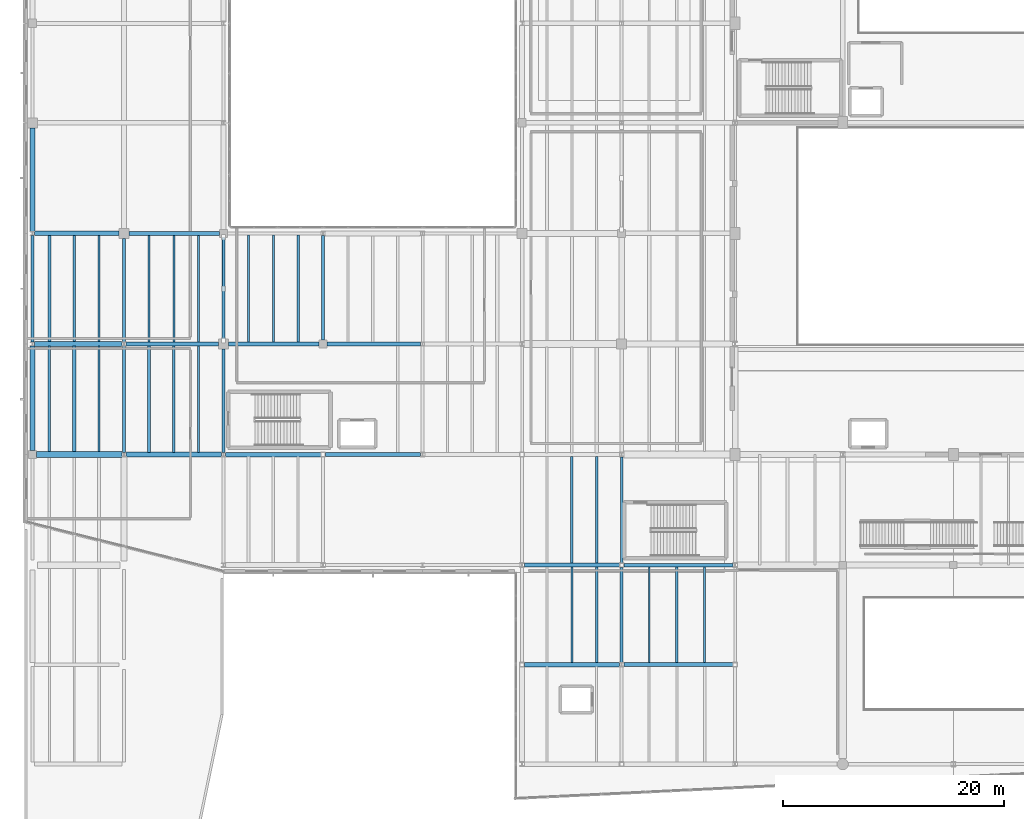
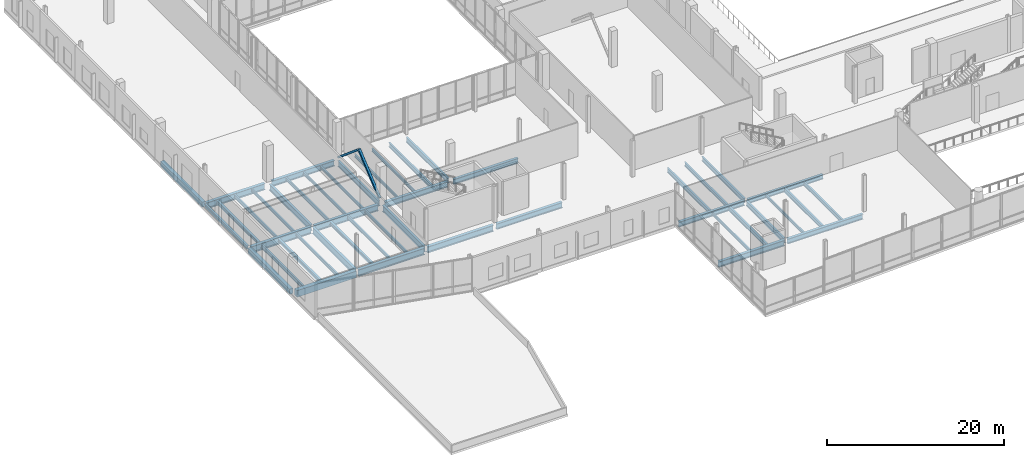
# One storey, part 21 of 81: 46 beams, 2 members.
"""IFC4 building model written with IfcOpenShell, lengths in metres."""

from ifc_helpers import new_model, si_unit, direction, frame, origin, origin_2d, place, context, subcontext, project, spatial, rectangle, hollow_rectangle, i_section, extrude, material, material_profile, profile_set, type_object, element, save


model = new_model("IFC4")

# Units and contexts
model_context = context("Model", 3, precision=1e-05, world=origin(), true_north=direction((0.0, 1.0)))
body_context = subcontext(model_context, "Body", "Model", "MODEL_VIEW")
ifc_project = project(units=[si_unit("LENGTHUNIT", "METRE"), si_unit("AREAUNIT", "SQUARE_METRE"), si_unit("VOLUMEUNIT", "CUBIC_METRE"), si_unit("PLANEANGLEUNIT", "RADIAN"), si_unit("MASSUNIT", "GRAM", prefix="KILO")], contexts=[model_context])

# Site, building, storey
site_placement = place(None, origin())
site = spatial("IfcSite", under=ifc_project, at=site_placement, CompositionType="ELEMENT")
building_placement = place(site_placement, origin())
building = spatial("IfcBuilding", under=site, at=building_placement, Name="Trimount Lyric Opera House", CompositionType="ELEMENT")
storey_placement = place(building_placement, frame((0.0, 0.0, 5.0)))
storey = spatial("IfcBuildingStorey", under=building, at=storey_placement, Name="L01", CompositionType="ELEMENT", Elevation=5.0)

# Beams
ifc_material_1 = material(Name="Steel ASTM A992 Grade 50", Category="steel")
ifc_material_profile_1 = material_profile(ifc_material_1, i_section(OverallWidth=0.4189453125, OverallDepth=0.927001953125, WebThickness=0.019287109375, FlangeThickness=0.031982421875, FilletRadius=0.02392578125, at=origin_2d()), Name="W36X231")
ifc_profile_set_1 = profile_set([ifc_material_profile_1], Name="Steel ASTM A992 Grade 50")
beam_type_1 = type_object("IfcBeamType", Name="B-02", PredefinedType="BEAM", material=ifc_profile_set_1)
beam_1_placement = place(storey_placement, frame((9.18408203125, 54.0, -0.743408203125), z_axis=(1.0, 0.0, 0.0), x_axis=(0.0, 1.0, 0.0)))
element("IfcBeam", 1, at=beam_1_placement, inside=storey, type_object=beam_type_1, Name="L01 girder X-0492", PredefinedType="BEAM", context=body_context, shape_type="SweptSolid", body=[
    extrude(i_section(OverallWidth=0.4189453125, OverallDepth=0.927001953125, WebThickness=0.019287109375, FlangeThickness=0.031982421875, FilletRadius=0.02392578125, at=origin_2d()), origin(), (0.0, 0.0, 1.0), 8.62939453125),
])
beam_2_placement = place(storey_placement, frame((0.904052734375, 64.0, -0.743408203125), z_axis=(1.0, 0.0, 0.0), x_axis=(0.0, 1.0, 0.0)))
element("IfcBeam", 2, at=beam_2_placement, inside=storey, type_object=beam_type_1, Name="L01 girder X-0507", PredefinedType="BEAM", context=body_context, shape_type="SweptSolid", body=[
    extrude(i_section(OverallWidth=0.4189453125, OverallDepth=0.927001953125, WebThickness=0.019287109375, FlangeThickness=0.031982421875, FilletRadius=0.02392578125, at=origin_2d()), origin(), (0.0, 0.0, 1.0), 7.909423828125),
])
ifc_material_2 = material(Name="Steel ASTM A992 Grade 50", Category="steel")
ifc_material_profile_2 = material_profile(ifc_material_2, i_section(OverallWidth=0.304931640625, OverallDepth=0.9189453125, WebThickness=0.017333984375, FlangeThickness=0.02783203125, FilletRadius=0.02001953125, at=origin_2d()), Name="W36X170")
ifc_profile_set_2 = profile_set([ifc_material_profile_2], Name="Steel ASTM A992 Grade 50")
beam_type_2 = type_object("IfcBeamType", Name="B-03", PredefinedType="BEAM", material=ifc_profile_set_2)
beam_3_placement = place(storey_placement, frame((9.0, 54.177978515625, -0.739501953125), z_axis=(0.0, 1.0, 0.0), x_axis=(-1.0, 0.0, 0.0)))
element("IfcBeam", 3, at=beam_3_placement, inside=storey, type_object=beam_type_2, Name="L01 girder Y-0607", PredefinedType="BEAM", context=body_context, shape_type="SweptSolid", body=[
    extrude(i_section(OverallWidth=0.304931640625, OverallDepth=0.9189453125, WebThickness=0.017333984375, FlangeThickness=0.02783203125, FilletRadius=0.02001953125, at=origin_2d()), origin(), (0.0, 0.0, 1.0), 9.637939453125),
])
ifc_material_3 = material(Name="Steel ASTM A992 Grade 50", Category="steel")
ifc_material_profile_3 = material_profile(ifc_material_3, i_section(OverallWidth=0.40087890625, OverallDepth=0.861083984375, WebThickness=0.019775390625, FlangeThickness=0.032470703125, FilletRadius=0.02001953125, at=origin_2d()), Name="W33X221")
ifc_profile_set_3 = profile_set([ifc_material_profile_3], Name="Steel ASTM A992 Grade 50")
beam_type_3 = type_object("IfcBeamType", Name="B-04", PredefinedType="BEAM", material=ifc_profile_set_3)
beam_4_placement = place(storey_placement, frame((18.1865234375, 54.0, -0.71044921875), z_axis=(1.0, 0.0, 0.0), x_axis=(0.0, 1.0, 0.0)))
element("IfcBeam", 4, at=beam_4_placement, inside=storey, type_object=beam_type_3, Name="L01 girder X-0493", PredefinedType="BEAM", context=body_context, shape_type="SweptSolid", body=[
    extrude(i_section(OverallWidth=0.40087890625, OverallDepth=0.861083984375, WebThickness=0.019775390625, FlangeThickness=0.032470703125, FilletRadius=0.02001953125, at=origin_2d()), origin(), (0.0, 0.0, 1.0), 8.6103515625),
])
beam_5_placement = place(storey_placement, frame((9.1865234375, 64.0, -0.71044921875), z_axis=(1.0, 0.0, 0.0), x_axis=(0.0, 1.0, 0.0)))
element("IfcBeam", 5, at=beam_5_placement, inside=storey, type_object=beam_type_3, Name="L01 girder X-0508", PredefinedType="BEAM", context=body_context, shape_type="SweptSolid", body=[
    extrude(i_section(OverallWidth=0.40087890625, OverallDepth=0.861083984375, WebThickness=0.019775390625, FlangeThickness=0.032470703125, FilletRadius=0.02001953125, at=origin_2d()), origin(), (0.0, 0.0, 1.0), 8.363525390625),
])
beam_6_placement = place(storey_placement, frame((0.906494140625, 74.0, -0.71044921875), z_axis=(1.0, 0.0, 0.0), x_axis=(0.0, 1.0, 0.0)))
element("IfcBeam", 6, at=beam_6_placement, inside=storey, type_object=beam_type_3, Name="L01 girder X-0520", PredefinedType="BEAM", context=body_context, shape_type="SweptSolid", body=[
    extrude(i_section(OverallWidth=0.40087890625, OverallDepth=0.861083984375, WebThickness=0.019775390625, FlangeThickness=0.032470703125, FilletRadius=0.02001953125, at=origin_2d()), origin(), (0.0, 0.0, 1.0), 7.6435546875),
])
ifc_material_4 = material(Name="Steel ASTM A992 Grade 50", Category="steel")
ifc_material_profile_4 = material_profile(ifc_material_4, i_section(OverallWidth=0.2919921875, OverallDepth=0.845947265625, WebThickness=0.015380859375, FlangeThickness=0.0244140625, FilletRadius=0.01806640625, at=origin_2d()), Name="W33X141")
ifc_profile_set_4 = profile_set([ifc_material_profile_4], Name="Steel ASTM A992 Grade 50")
beam_type_4 = type_object("IfcBeamType", Name="B-05", PredefinedType="BEAM", material=ifc_profile_set_4)
for number, where, z_axis, x_axis, name in (
    (7, (9.0, 64.18408203125, -0.702880859375), (0.0, 1.0, 0.0), (-1.0, 0.0, 0.0), "L01 girder Y-0608"),
    (8, (18.0, 54.18408203125, -0.702880859375), (0.0, 1.0, 0.0), (-1.0, 0.0, 0.0), "L01 girder Y-0612"),
):
    element("IfcBeam", number, at=place(storey_placement, frame(where, z_axis=z_axis, x_axis=x_axis)), inside=storey, type_object=beam_type_4, Name=name, PredefinedType="BEAM", context=body_context, shape_type="SweptSolid", body=[
        extrude(i_section(OverallWidth=0.2919921875, OverallDepth=0.845947265625, WebThickness=0.015380859375, FlangeThickness=0.0244140625, FilletRadius=0.01806640625, at=origin_2d()), origin(), (0.0, 0.0, 1.0), 9.365966796875),
    ])
ifc_material_5 = material(Name="Steel ASTM A992 Grade 50", Category="steel")
ifc_material_profile_5 = material_profile(ifc_material_5, i_section(OverallWidth=0.382080078125, OverallDepth=0.779052734375, WebThickness=0.01806640625, FlangeThickness=0.0302734375, FilletRadius=0.01904296875, at=origin_2d()), Name="W30X191")
ifc_profile_set_5 = profile_set([ifc_material_profile_5], Name="Steel ASTM A992 Grade 50")
beam_type_5 = type_object("IfcBeamType", Name="B-06", PredefinedType="BEAM", material=ifc_profile_set_5)
for number, where, z_axis, x_axis, name in (
    (9, (45.203125, 35.0, -0.689453125), (1.0, 0.0, 0.0), (0.0, 1.0, 0.0), "L01 girder X-0472"),
    (10, (27.203125, 54.0, -0.66943359375), (1.0, 0.0, 0.0), (0.0, 1.0, 0.0), "L01 girder X-0494"),
):
    element("IfcBeam", number, at=place(storey_placement, frame(where, z_axis=z_axis, x_axis=x_axis)), inside=storey, type_object=beam_type_5, Name=name, PredefinedType="BEAM", context=body_context, shape_type="SweptSolid", body=[
        extrude(i_section(OverallWidth=0.382080078125, OverallDepth=0.779052734375, WebThickness=0.01806640625, FlangeThickness=0.0302734375, FilletRadius=0.01904296875, at=origin_2d()), origin(), (0.0, 0.0, 1.0), 8.593994140625),
    ])
for number, where, z_axis, x_axis, name in (
    (11, (18.449951171875, 64.0, -0.66943359375), (1.0, 0.0, 0.0), (0.0, 1.0, 0.0), "L01 girder X-0509"),
    (12, (9.449951171875, 74.0, -0.66943359375), (1.0, 0.0, 0.0), (0.0, 1.0, 0.0), "L01 girder X-0521"),
):
    element("IfcBeam", number, at=place(storey_placement, frame(where, z_axis=z_axis, x_axis=x_axis)), inside=storey, type_object=beam_type_5, Name=name, PredefinedType="BEAM", context=body_context, shape_type="SweptSolid", body=[
        extrude(i_section(OverallWidth=0.382080078125, OverallDepth=0.779052734375, WebThickness=0.01806640625, FlangeThickness=0.0302734375, FilletRadius=0.01904296875, at=origin_2d()), origin(), (0.0, 0.0, 1.0), 8.175048828125),
    ])
ifc_material_6 = material(Name="Steel ASTM A992 Grade 50", Category="steel")
ifc_material_profile_6 = material_profile(ifc_material_6, i_section(OverallWidth=0.26708984375, OverallDepth=0.761962890625, WebThickness=0.014404296875, FlangeThickness=0.021484375, FilletRadius=0.01708984375, at=origin_2d()), Name="W30X116")
ifc_profile_set_6 = profile_set([ifc_material_profile_6], Name="Steel ASTM A992 Grade 50")
beam_type_6 = type_object("IfcBeamType", Name="B-07", PredefinedType="BEAM", material=ifc_profile_set_6)
beam_7_placement = place(storey_placement, frame((18.0, 64.449951171875, -0.660888671875), z_axis=(0.0, 1.0, 0.0), x_axis=(-1.0, 0.0, 0.0)))
element("IfcBeam", 13, at=beam_7_placement, inside=storey, type_object=beam_type_6, Name="L01 girder Y-0613", PredefinedType="BEAM", context=body_context, shape_type="SweptSolid", body=[
    extrude(i_section(OverallWidth=0.26708984375, OverallDepth=0.761962890625, WebThickness=0.014404296875, FlangeThickness=0.021484375, FilletRadius=0.01708984375, at=origin_2d()), origin(), (0.0, 0.0, 1.0), 9.175048828125),
])
ifc_material_7 = material(Name="Steel ASTM A992 Grade 50", Category="steel")
ifc_material_profile_7 = material_profile(ifc_material_7, i_section(OverallWidth=0.35595703125, OverallDepth=0.700927734375, WebThickness=0.016845703125, FlangeThickness=0.02734375, FilletRadius=0.01806640625, at=origin_2d()), Name="W27X161")
ifc_profile_set_7 = profile_set([ifc_material_profile_7], Name="Steel ASTM A992 Grade 50")
beam_type_7 = type_object("IfcBeamType", Name="B-08", PredefinedType="BEAM", material=ifc_profile_set_7)
beam_8_placement = place(storey_placement, frame((54.202880859375, 35.0, -0.650390625), z_axis=(1.0, 0.0, 0.0), x_axis=(0.0, 1.0, 0.0)))
element("IfcBeam", 14, at=beam_8_placement, inside=storey, type_object=beam_type_7, Name="L01 girder X-0473", PredefinedType="BEAM", context=body_context, shape_type="SweptSolid", body=[
    extrude(i_section(OverallWidth=0.35595703125, OverallDepth=0.700927734375, WebThickness=0.016845703125, FlangeThickness=0.02734375, FilletRadius=0.01806640625, at=origin_2d()), origin(), (0.0, 0.0, 1.0), 9.85400390625),
])
beam_9_placement = place(storey_placement, frame((45.202880859375, 44.0, -0.630615234375), z_axis=(1.0, 0.0, 0.0), x_axis=(0.0, 1.0, 0.0)))
element("IfcBeam", 15, at=beam_9_placement, inside=storey, type_object=beam_type_7, Name="L01 girder X-0477", PredefinedType="BEAM", context=body_context, shape_type="SweptSolid", body=[
    extrude(i_section(OverallWidth=0.35595703125, OverallDepth=0.700927734375, WebThickness=0.016845703125, FlangeThickness=0.02734375, FilletRadius=0.01806640625, at=origin_2d()), origin(), (0.0, 0.0, 1.0), 8.593994140625),
])
beam_10_placement = place(storey_placement, frame((27.375, 64.0, -0.630615234375), z_axis=(1.0, 0.0, 0.0), x_axis=(0.0, 1.0, 0.0)))
element("IfcBeam", 16, at=beam_10_placement, inside=storey, type_object=beam_type_7, Name="L01 girder X-0510", PredefinedType="BEAM", context=body_context, shape_type="SweptSolid", body=[
    extrude(i_section(OverallWidth=0.35595703125, OverallDepth=0.700927734375, WebThickness=0.016845703125, FlangeThickness=0.02734375, FilletRadius=0.01806640625, at=origin_2d()), origin(), (0.0, 0.0, 1.0), 8.44091796875),
])
ifc_material_8 = material(Name="Steel ASTM A992 Grade 50", Category="steel")
ifc_material_profile_8 = material_profile(ifc_material_8, i_section(OverallWidth=0.25390625, OverallDepth=0.68798828125, WebThickness=0.01318359375, FlangeThickness=0.02099609375, FilletRadius=0.01611328125, at=origin_2d()), Name="W27X102")
ifc_profile_set_8 = profile_set([ifc_material_profile_8], Name="Steel ASTM A992 Grade 50")
beam_type_8 = type_object("IfcBeamType", Name="B-09", PredefinedType="BEAM", material=ifc_profile_set_8)
beam_11_placement = place(storey_placement, frame((27.0, 64.375, -0.6240234375), z_axis=(0.0, 1.0, 0.0), x_axis=(-1.0, 0.0, 0.0)))
element("IfcBeam", 17, at=beam_11_placement, inside=storey, type_object=beam_type_8, Name="L01 girder Y-0620", PredefinedType="BEAM", context=body_context, shape_type="SweptSolid", body=[
    extrude(i_section(OverallWidth=0.25390625, OverallDepth=0.68798828125, WebThickness=0.01318359375, FlangeThickness=0.02099609375, FilletRadius=0.01611328125, at=origin_2d()), origin(), (0.0, 0.0, 1.0), 9.447021484375),
])
beam_12_placement = place(storey_placement, frame((54.0, 35.20849609375, -0.64404296875), z_axis=(0.0, 1.0, 0.0), x_axis=(-1.0, 0.0, 0.0)))
element("IfcBeam", 18, at=beam_12_placement, inside=storey, type_object=beam_type_8, Name="L01 girder Y-0638", PredefinedType="BEAM", context=body_context, shape_type="SweptSolid", body=[
    extrude(i_section(OverallWidth=0.25390625, OverallDepth=0.68798828125, WebThickness=0.01318359375, FlangeThickness=0.02099609375, FilletRadius=0.01611328125, at=origin_2d()), origin(), (0.0, 0.0, 1.0), 8.58837890625),
])
ifc_material_9 = material(Name="Steel ASTM A992 Grade 50", Category="steel")
ifc_material_profile_9 = material_profile(ifc_material_9, i_section(OverallWidth=0.327880859375, OverallDepth=0.626953125, WebThickness=0.0166015625, FlangeThickness=0.027587890625, FilletRadius=0.01611328125, at=origin_2d()), Name="W24X146")
ifc_profile_set_9 = profile_set([ifc_material_profile_9], Name="Steel ASTM A992 Grade 50")
beam_type_9 = type_object("IfcBeamType", Name="B-10", PredefinedType="BEAM", material=ifc_profile_set_9)
beam_13_placement = place(storey_placement, frame((54.203125, 44.0, -0.613525390625), z_axis=(1.0, 0.0, 0.0), x_axis=(0.0, 1.0, 0.0)))
element("IfcBeam", 19, at=beam_13_placement, inside=storey, type_object=beam_type_9, Name="L01 girder X-0478", PredefinedType="BEAM", context=body_context, shape_type="SweptSolid", body=[
    extrude(i_section(OverallWidth=0.327880859375, OverallDepth=0.626953125, WebThickness=0.0166015625, FlangeThickness=0.027587890625, FilletRadius=0.01611328125, at=origin_2d()), origin(), (0.0, 0.0, 1.0), 9.853759765625),
])
ifc_material_10 = material(Name="Steel ASTM A992 Grade 50", Category="steel")
ifc_material_profile_10 = material_profile(ifc_material_10, i_section(OverallWidth=0.22998046875, OverallDepth=0.616943359375, WebThickness=0.01318359375, FlangeThickness=0.022216796875, FilletRadius=0.013916015625, at=origin_2d()), Name="W24X94")
ifc_profile_set_10 = profile_set([ifc_material_profile_10], Name="Steel ASTM A992 Grade 50")
beam_type_10 = type_object("IfcBeamType", Name="B-11", PredefinedType="BEAM", material=ifc_profile_set_10)
beam_14_placement = place(storey_placement, frame((54.0, 44.203125, -0.58837890625), z_axis=(0.0, 1.0, 0.0), x_axis=(-1.0, 0.0, 0.0)))
element("IfcBeam", 20, at=beam_14_placement, inside=storey, type_object=beam_type_10, Name="L01 girder Y-0639", PredefinedType="BEAM", context=body_context, shape_type="SweptSolid", body=[
    extrude(i_section(OverallWidth=0.22998046875, OverallDepth=0.616943359375, WebThickness=0.01318359375, FlangeThickness=0.022216796875, FilletRadius=0.013916015625, at=origin_2d()), origin(), (0.0, 0.0, 1.0), 9.58837890625),
])
ifc_material_11 = material(Name="Concrete C40/50", Category="concrete")
ifc_material_profile_11 = material_profile(ifc_material_11, rectangle(XDim=0.550048828125, YDim=0.89990234375, at=origin_2d()), Name="RC550X900")
ifc_profile_set_11 = profile_set([ifc_material_profile_11], Name="Concrete C40/50")
beam_type_11 = type_object("IfcBeamType", Name="B-14", PredefinedType="BEAM", material=ifc_profile_set_11)
beam_15_placement = place(storey_placement, frame((1.094970703125, 54.0, -0.72998046875), z_axis=(1.0, 0.0, 0.0), x_axis=(0.0, 1.0, 0.0)))
element("IfcBeam", 21, at=beam_15_placement, inside=storey, type_object=beam_type_11, Name="L01 girder X-0491", PredefinedType="BEAM", context=body_context, shape_type="SweptSolid", body=[
    extrude(rectangle(XDim=0.550048828125, YDim=0.89990234375, at=origin_2d()), origin(), (0.0, 0.0, 1.0), 7.720947265625),
])

# Members
ifc_material_12 = material(Name="Steel ASTM A500 Grade C", Category="steel")
ifc_material_profile_12 = material_profile(ifc_material_12, hollow_rectangle(XDim=0.3046875, YDim=0.3046875, WallThickness=0.01171875, InnerFilletRadius=0.01220703125, OuterFilletRadius=0.02392578125, at=origin_2d()), Name="HSS304.8X304.8X12.7")
ifc_profile_set_12 = profile_set([ifc_material_profile_12], Name="Steel ASTM A500 Grade C")
member_type_1 = type_object("IfcMemberType", Name="BR-02", PredefinedType="BRACE", material=ifc_profile_set_12)
member_1_placement = place(storey_placement, frame((18.0, 64.35009765625, 0.14990234375), z_axis=(0.0, 0.766173014074, 0.642634353661), x_axis=(-1.0, 0.0, 0.0)))
element("IfcMember", 22, at=member_1_placement, inside=storey, type_object=member_type_1, Name="L01 lateral chevron brace BF-1.1", PredefinedType="BRACE", context=body_context, shape_type="SweptSolid", body=[
    extrude(hollow_rectangle(XDim=0.3046875, YDim=0.3046875, WallThickness=0.01171875, InnerFilletRadius=0.01220703125, OuterFilletRadius=0.02392578125, at=origin_2d()), origin(), (0.0, 0.0, 1.0), 6.069091796875),
])
ifc_material_13 = material(Name="Steel ASTM A500 Grade C", Category="steel")
ifc_material_profile_13 = material_profile(ifc_material_13, hollow_rectangle(XDim=0.25390625, YDim=0.25390625, WallThickness=0.01171875, InnerFilletRadius=0.01220703125, OuterFilletRadius=0.02392578125, at=origin_2d()), Name="HSS254.0X254.0X12.7")
ifc_profile_set_13 = profile_set([ifc_material_profile_13], Name="Steel ASTM A500 Grade C")
member_type_2 = type_object("IfcMemberType", Name="BR-03", PredefinedType="BRACE", material=ifc_profile_set_13)
member_2_placement = place(storey_placement, frame((18.0, 73.64990234375, 0.14990234375), z_axis=(0.0, -0.766173014074, 0.642634353661), x_axis=(1.0, 0.0, 0.0)))
element("IfcMember", 23, at=member_2_placement, inside=storey, type_object=member_type_2, Name="L01 lateral chevron brace BF-1.2", PredefinedType="BRACE", context=body_context, shape_type="SweptSolid", body=[
    extrude(hollow_rectangle(XDim=0.25390625, YDim=0.25390625, WallThickness=0.01171875, InnerFilletRadius=0.01220703125, OuterFilletRadius=0.02392578125, at=origin_2d()), origin(), (0.0, 0.0, 1.0), 6.069091796875),
])

# Beams
ifc_material_14 = material(Name="Steel ASTM A992 Grade 50", Category="steel")
ifc_material_profile_14 = material_profile(ifc_material_14, i_section(OverallWidth=0.22802734375, OverallDepth=0.60205078125, WebThickness=0.010498046875, FlangeThickness=0.014892578125, FilletRadius=0.012939453125, at=origin_2d()), Name="W24X68")
ifc_profile_set_14 = profile_set([ifc_material_profile_14], Name="Steel ASTM A992 Grade 50")
beam_type_12 = type_object("IfcBeamType", Name="J-01", PredefinedType="BEAM", material=ifc_profile_set_14)
beam_16_placement = place(storey_placement, frame((24.75, 64.18701171875, -0.5810546875), z_axis=(0.0, 1.0, 0.0), x_axis=(-1.0, 0.0, 0.0)))
element("IfcBeam", 24, at=beam_16_placement, inside=storey, type_object=beam_type_12, Name="L01 composite floor joist 0604", PredefinedType="BEAM", context=body_context, shape_type="SweptSolid", body=[
    extrude(i_section(OverallWidth=0.22802734375, OverallDepth=0.60205078125, WebThickness=0.010498046875, FlangeThickness=0.014892578125, FilletRadius=0.012939453125, at=origin_2d()), origin(), (0.0, 0.0, 1.0), 9.676025390625),
])
beam_17_placement = place(storey_placement, frame((51.75, 35.18701171875, -0.60107421875), z_axis=(0.0, 1.0, 0.0), x_axis=(-1.0, 0.0, 0.0)))
element("IfcBeam", 25, at=beam_17_placement, inside=storey, type_object=beam_type_12, Name="L01 composite floor joist 0637", PredefinedType="BEAM", context=body_context, shape_type="SweptSolid", body=[
    extrude(i_section(OverallWidth=0.22802734375, OverallDepth=0.60205078125, WebThickness=0.010498046875, FlangeThickness=0.014892578125, FilletRadius=0.012939453125, at=origin_2d()), origin(), (0.0, 0.0, 1.0), 8.638916015625),
])
beam_18_placement = place(storey_placement, frame((49.5, 44.174072265625, -0.5810546875), z_axis=(0.0, 1.0, 0.0), x_axis=(-1.0, 0.0, 0.0)))
element("IfcBeam", 26, at=beam_18_placement, inside=storey, type_object=beam_type_12, Name="L01 composite floor joist 0639", PredefinedType="BEAM", context=body_context, shape_type="SweptSolid", body=[
    extrude(i_section(OverallWidth=0.22802734375, OverallDepth=0.60205078125, WebThickness=0.010498046875, FlangeThickness=0.014892578125, FilletRadius=0.012939453125, at=origin_2d()), origin(), (0.0, 0.0, 1.0), 9.666015625),
])
beam_19_placement = place(storey_placement, frame((59.0, 35.174072265625, -0.60107421875), z_axis=(0.0, 1.0, 0.0), x_axis=(-1.0, 0.0, 0.0)))
element("IfcBeam", 27, at=beam_19_placement, inside=storey, type_object=beam_type_12, Name="L01 composite floor joist 0666", PredefinedType="BEAM", context=body_context, shape_type="SweptSolid", body=[
    extrude(i_section(OverallWidth=0.22802734375, OverallDepth=0.60205078125, WebThickness=0.010498046875, FlangeThickness=0.014892578125, FilletRadius=0.012939453125, at=origin_2d()), origin(), (0.0, 0.0, 1.0), 8.666015625),
])
ifc_material_15 = material(Name="Steel ASTM A992 Grade 50", Category="steel")
ifc_material_profile_15 = material_profile(ifc_material_15, i_section(OverallWidth=0.2099609375, OverallDepth=0.532958984375, WebThickness=0.01025390625, FlangeThickness=0.015625, FilletRadius=0.012939453125, at=origin_2d()), Name="W21X62")
ifc_profile_set_15 = profile_set([ifc_material_profile_15], Name="Steel ASTM A992 Grade 50")
beam_type_13 = type_object("IfcBeamType", Name="J-02", PredefinedType="BEAM", material=ifc_profile_set_15)
beam_20_placement = place(storey_placement, frame((2.25, 54.27099609375, -0.54638671875), z_axis=(0.0, 1.0, 0.0), x_axis=(-1.0, 0.0, 0.0)))
element("IfcBeam", 28, at=beam_20_placement, inside=storey, type_object=beam_type_13, Name="L01 composite floor joist 0581", PredefinedType="BEAM", context=body_context, shape_type="SweptSolid", body=[
    extrude(i_section(OverallWidth=0.2099609375, OverallDepth=0.532958984375, WebThickness=0.01025390625, FlangeThickness=0.015625, FilletRadius=0.012939453125, at=origin_2d()), origin(), (0.0, 0.0, 1.0), 9.5234375),
])
beam_21_placement = place(storey_placement, frame((51.75, 44.174072265625, -0.54638671875), z_axis=(0.0, 1.0, 0.0), x_axis=(-1.0, 0.0, 0.0)))
element("IfcBeam", 29, at=beam_21_placement, inside=storey, type_object=beam_type_13, Name="L01 composite floor joist 0640", PredefinedType="BEAM", context=body_context, shape_type="SweptSolid", body=[
    extrude(i_section(OverallWidth=0.2099609375, OverallDepth=0.532958984375, WebThickness=0.01025390625, FlangeThickness=0.015625, FilletRadius=0.012939453125, at=origin_2d()), origin(), (0.0, 0.0, 1.0), 9.666015625),
])
beam_22_placement = place(storey_placement, frame((61.5, 35.174072265625, -0.56640625), z_axis=(0.0, 1.0, 0.0), x_axis=(-1.0, 0.0, 0.0)))
element("IfcBeam", 30, at=beam_22_placement, inside=storey, type_object=beam_type_13, Name="L01 composite floor joist 0667", PredefinedType="BEAM", context=body_context, shape_type="SweptSolid", body=[
    extrude(i_section(OverallWidth=0.2099609375, OverallDepth=0.532958984375, WebThickness=0.01025390625, FlangeThickness=0.015625, FilletRadius=0.012939453125, at=origin_2d()), origin(), (0.0, 0.0, 1.0), 8.666015625),
])
ifc_material_16 = material(Name="Steel ASTM A992 Grade 50", Category="steel")
ifc_material_profile_16 = material_profile(ifc_material_16, i_section(OverallWidth=0.281982421875, OverallDepth=0.467041015625, WebThickness=0.01220703125, FlangeThickness=0.01953125, FilletRadius=0.012939453125, at=origin_2d()), Name="W18X86")
ifc_profile_set_16 = profile_set([ifc_material_profile_16], Name="Steel ASTM A992 Grade 50")
beam_type_14 = type_object("IfcBeamType", Name="J-03", PredefinedType="BEAM", material=ifc_profile_set_16)
beam_23_placement = place(storey_placement, frame((4.5, 54.27099609375, -0.513427734375), z_axis=(0.0, 1.0, 0.0), x_axis=(-1.0, 0.0, 0.0)))
element("IfcBeam", 31, at=beam_23_placement, inside=storey, type_object=beam_type_14, Name="L01 composite floor joist 0582", PredefinedType="BEAM", context=body_context, shape_type="SweptSolid", body=[
    extrude(i_section(OverallWidth=0.281982421875, OverallDepth=0.467041015625, WebThickness=0.01220703125, FlangeThickness=0.01953125, FilletRadius=0.012939453125, at=origin_2d()), origin(), (0.0, 0.0, 1.0), 9.5234375),
])
for number, where, z_axis, x_axis, name in (
    (32, (2.25, 64.20556640625, -0.513427734375), (0.0, 1.0, 0.0), (-1.0, 0.0, 0.0), "L01 composite floor joist 0584"),
    (33, (11.25, 54.20556640625, -0.513427734375), (0.0, 1.0, 0.0), (-1.0, 0.0, 0.0), "L01 composite floor joist 0590"),
):
    element("IfcBeam", number, at=place(storey_placement, frame(where, z_axis=z_axis, x_axis=x_axis)), inside=storey, type_object=beam_type_14, Name=name, PredefinedType="BEAM", context=body_context, shape_type="SweptSolid", body=[
        extrude(i_section(OverallWidth=0.281982421875, OverallDepth=0.467041015625, WebThickness=0.01220703125, FlangeThickness=0.01953125, FilletRadius=0.012939453125, at=origin_2d()), origin(), (0.0, 0.0, 1.0), 9.597900390625),
    ])
ifc_material_17 = material(Name="Steel ASTM A992 Grade 50", Category="steel")
ifc_material_profile_17 = material_profile(ifc_material_17, i_section(OverallWidth=0.19091796875, OverallDepth=0.45703125, WebThickness=0.009033203125, FlangeThickness=0.014404296875, FilletRadius=0.010986328125, at=origin_2d()), Name="W18X50")
ifc_profile_set_17 = profile_set([ifc_material_profile_17], Name="Steel ASTM A992 Grade 50")
beam_type_15 = type_object("IfcBeamType", Name="J-04", PredefinedType="BEAM", material=ifc_profile_set_17)
beam_24_placement = place(storey_placement, frame((6.75, 54.27099609375, -0.508544921875), z_axis=(0.0, 1.0, 0.0), x_axis=(-1.0, 0.0, 0.0)))
element("IfcBeam", 34, at=beam_24_placement, inside=storey, type_object=beam_type_15, Name="L01 composite floor joist 0583", PredefinedType="BEAM", context=body_context, shape_type="SweptSolid", body=[
    extrude(i_section(OverallWidth=0.19091796875, OverallDepth=0.45703125, WebThickness=0.009033203125, FlangeThickness=0.014404296875, FilletRadius=0.010986328125, at=origin_2d()), origin(), (0.0, 0.0, 1.0), 9.5234375),
])
for number, where, z_axis, x_axis, name in (
    (35, (4.5, 64.20556640625, -0.508544921875), (0.0, 1.0, 0.0), (-1.0, 0.0, 0.0), "L01 composite floor joist 0585"),
    (36, (13.5, 54.20556640625, -0.508544921875), (0.0, 1.0, 0.0), (-1.0, 0.0, 0.0), "L01 composite floor joist 0591"),
):
    element("IfcBeam", number, at=place(storey_placement, frame(where, z_axis=z_axis, x_axis=x_axis)), inside=storey, type_object=beam_type_15, Name=name, PredefinedType="BEAM", context=body_context, shape_type="SweptSolid", body=[
        extrude(i_section(OverallWidth=0.19091796875, OverallDepth=0.45703125, WebThickness=0.009033203125, FlangeThickness=0.014404296875, FilletRadius=0.010986328125, at=origin_2d()), origin(), (0.0, 0.0, 1.0), 9.597900390625),
    ])
beam_25_placement = place(storey_placement, frame((11.25, 64.196533203125, -0.508544921875), z_axis=(0.0, 1.0, 0.0), x_axis=(-1.0, 0.0, 0.0)))
element("IfcBeam", 37, at=beam_25_placement, inside=storey, type_object=beam_type_15, Name="L01 composite floor joist 0593", PredefinedType="BEAM", context=body_context, shape_type="SweptSolid", body=[
    extrude(i_section(OverallWidth=0.19091796875, OverallDepth=0.45703125, WebThickness=0.009033203125, FlangeThickness=0.014404296875, FilletRadius=0.010986328125, at=origin_2d()), origin(), (0.0, 0.0, 1.0), 9.616455078125),
])
ifc_material_18 = material(Name="Steel ASTM A992 Grade 50", Category="steel")
ifc_material_profile_18 = material_profile(ifc_material_18, i_section(OverallWidth=0.180908203125, OverallDepth=0.4169921875, WebThickness=0.010986328125, FlangeThickness=0.018310546875, FilletRadius=0.010986328125, at=origin_2d()), Name="W16X57")
ifc_profile_set_18 = profile_set([ifc_material_profile_18], Name="Steel ASTM A992 Grade 50")
beam_type_16 = type_object("IfcBeamType", Name="J-05", PredefinedType="BEAM", material=ifc_profile_set_18)
for number, where, z_axis, x_axis, name in (
    (38, (6.75, 64.20556640625, -0.488525390625), (0.0, 1.0, 0.0), (-1.0, 0.0, 0.0), "L01 composite floor joist 0586"),
    (39, (15.75, 54.20556640625, -0.488525390625), (0.0, 1.0, 0.0), (-1.0, 0.0, 0.0), "L01 composite floor joist 0592"),
):
    element("IfcBeam", number, at=place(storey_placement, frame(where, z_axis=z_axis, x_axis=x_axis)), inside=storey, type_object=beam_type_16, Name=name, PredefinedType="BEAM", context=body_context, shape_type="SweptSolid", body=[
        extrude(i_section(OverallWidth=0.180908203125, OverallDepth=0.4169921875, WebThickness=0.010986328125, FlangeThickness=0.018310546875, FilletRadius=0.010986328125, at=origin_2d()), origin(), (0.0, 0.0, 1.0), 9.597900390625),
    ])
beam_26_placement = place(storey_placement, frame((13.5, 64.196533203125, -0.488525390625), z_axis=(0.0, 1.0, 0.0), x_axis=(-1.0, 0.0, 0.0)))
element("IfcBeam", 40, at=beam_26_placement, inside=storey, type_object=beam_type_16, Name="L01 composite floor joist 0594", PredefinedType="BEAM", context=body_context, shape_type="SweptSolid", body=[
    extrude(i_section(OverallWidth=0.180908203125, OverallDepth=0.4169921875, WebThickness=0.010986328125, FlangeThickness=0.018310546875, FilletRadius=0.010986328125, at=origin_2d()), origin(), (0.0, 0.0, 1.0), 9.616455078125),
])
beam_27_placement = place(storey_placement, frame((20.25, 64.18701171875, -0.488525390625), z_axis=(0.0, 1.0, 0.0), x_axis=(-1.0, 0.0, 0.0)))
element("IfcBeam", 41, at=beam_27_placement, inside=storey, type_object=beam_type_16, Name="L01 composite floor joist 0602", PredefinedType="BEAM", context=body_context, shape_type="SweptSolid", body=[
    extrude(i_section(OverallWidth=0.180908203125, OverallDepth=0.4169921875, WebThickness=0.010986328125, FlangeThickness=0.018310546875, FilletRadius=0.010986328125, at=origin_2d()), origin(), (0.0, 0.0, 1.0), 9.676025390625),
])
ifc_material_19 = material(Name="Steel ASTM A992 Grade 50", Category="steel")
ifc_material_profile_19 = material_profile(ifc_material_19, i_section(OverallWidth=0.177978515625, OverallDepth=0.404052734375, WebThickness=0.007568359375, FlangeThickness=0.010986328125, FilletRadius=0.010009765625, at=origin_2d()), Name="W16X36")
ifc_profile_set_19 = profile_set([ifc_material_profile_19], Name="Steel ASTM A992 Grade 50")
beam_type_17 = type_object("IfcBeamType", Name="J-06", PredefinedType="BEAM", material=ifc_profile_set_19)
beam_28_placement = place(storey_placement, frame((15.75, 64.196533203125, -0.48193359375), z_axis=(0.0, 1.0, 0.0), x_axis=(-1.0, 0.0, 0.0)))
element("IfcBeam", 42, at=beam_28_placement, inside=storey, type_object=beam_type_17, Name="L01 composite floor joist 0595", PredefinedType="BEAM", context=body_context, shape_type="SweptSolid", body=[
    extrude(i_section(OverallWidth=0.177978515625, OverallDepth=0.404052734375, WebThickness=0.007568359375, FlangeThickness=0.010986328125, FilletRadius=0.010009765625, at=origin_2d()), origin(), (0.0, 0.0, 1.0), 9.616455078125),
])
beam_29_placement = place(storey_placement, frame((22.5, 64.18701171875, -0.48193359375), z_axis=(0.0, 1.0, 0.0), x_axis=(-1.0, 0.0, 0.0)))
element("IfcBeam", 43, at=beam_29_placement, inside=storey, type_object=beam_type_17, Name="L01 composite floor joist 0603", PredefinedType="BEAM", context=body_context, shape_type="SweptSolid", body=[
    extrude(i_section(OverallWidth=0.177978515625, OverallDepth=0.404052734375, WebThickness=0.007568359375, FlangeThickness=0.010986328125, FilletRadius=0.010009765625, at=origin_2d()), origin(), (0.0, 0.0, 1.0), 9.676025390625),
])
beam_30_placement = place(storey_placement, frame((49.5, 35.18701171875, -0.501953125), z_axis=(0.0, 1.0, 0.0), x_axis=(-1.0, 0.0, 0.0)))
element("IfcBeam", 44, at=beam_30_placement, inside=storey, type_object=beam_type_17, Name="L01 composite floor joist 0636", PredefinedType="BEAM", context=body_context, shape_type="SweptSolid", body=[
    extrude(i_section(OverallWidth=0.177978515625, OverallDepth=0.404052734375, WebThickness=0.007568359375, FlangeThickness=0.010986328125, FilletRadius=0.010009765625, at=origin_2d()), origin(), (0.0, 0.0, 1.0), 8.638916015625),
])
beam_31_placement = place(storey_placement, frame((56.5, 35.174072265625, -0.501953125), z_axis=(0.0, 1.0, 0.0), x_axis=(-1.0, 0.0, 0.0)))
element("IfcBeam", 45, at=beam_31_placement, inside=storey, type_object=beam_type_17, Name="L01 composite floor joist 0665", PredefinedType="BEAM", context=body_context, shape_type="SweptSolid", body=[
    extrude(i_section(OverallWidth=0.177978515625, OverallDepth=0.404052734375, WebThickness=0.007568359375, FlangeThickness=0.010986328125, FilletRadius=0.010009765625, at=origin_2d()), origin(), (0.0, 0.0, 1.0), 8.666015625),
])
ifc_material_20 = material(Name="Steel ASTM A992 Grade 50", Category="steel")
ifc_material_profile_20 = material_profile(ifc_material_20, i_section(OverallWidth=0.281982421875, OverallDepth=0.467041015625, WebThickness=0.01220703125, FlangeThickness=0.01953125, FilletRadius=0.012939453125, at=origin_2d()), Name="W18X86")
ifc_profile_set_20 = profile_set([ifc_material_profile_20], Name="Steel ASTM A992 Grade 50")
beam_type_18 = type_object("IfcBeamType", Name="SP-01", PredefinedType="SPANDREL", material=ifc_profile_set_20)
beam_32_placement = place(storey_placement, frame((0.719970703125, 64.177978515625, -0.513427734375), z_axis=(0.0, 1.0, 0.0), x_axis=(-1.0, 0.0, 0.0)))
element("IfcBeam", 46, at=beam_32_placement, inside=storey, type_object=beam_type_18, Name="L01 girder Y-0598", PredefinedType="SPANDREL", context=body_context, shape_type="SweptSolid", body=[
    extrude(i_section(OverallWidth=0.281982421875, OverallDepth=0.467041015625, WebThickness=0.01220703125, FlangeThickness=0.01953125, FilletRadius=0.012939453125, at=origin_2d()), origin(), (0.0, 0.0, 1.0), 9.637939453125),
])
ifc_material_21 = material(Name="Concrete C40/50", Category="concrete")
ifc_material_profile_21 = material_profile(ifc_material_21, rectangle(XDim=0.449951171875, YDim=0.699951171875, at=origin_2d()), Name="RC450X700")
ifc_profile_set_21 = profile_set([ifc_material_profile_21], Name="Concrete C40/50")
beam_type_19 = type_object("IfcBeamType", Name="SP-02", PredefinedType="SPANDREL", material=ifc_profile_set_21)
beam_33_placement = place(storey_placement, frame((0.719970703125, 54.375, -0.6298828125), z_axis=(0.0, 1.0, 0.0), x_axis=(-1.0, 0.0, 0.0)))
element("IfcBeam", 47, at=beam_33_placement, inside=storey, type_object=beam_type_19, Name="L01 girder Y-0597", PredefinedType="SPANDREL", context=body_context, shape_type="SweptSolid", body=[
    extrude(rectangle(XDim=0.449951171875, YDim=0.699951171875, at=origin_2d()), origin(), (0.0, 0.0, 1.0), 9.447021484375),
])
beam_34_placement = place(storey_placement, frame((0.719970703125, 74.18408203125, -0.6298828125), z_axis=(0.0, 1.0, 0.0), x_axis=(-1.0, 0.0, 0.0)))
element("IfcBeam", 48, at=beam_34_placement, inside=storey, type_object=beam_type_19, Name="L01 girder Y-0599", PredefinedType="SPANDREL", context=body_context, shape_type="SweptSolid", body=[
    extrude(rectangle(XDim=0.449951171875, YDim=0.699951171875, at=origin_2d()), origin(), (0.0, 0.0, 1.0), 9.365966796875),
])

save(model, "model.ifc")
